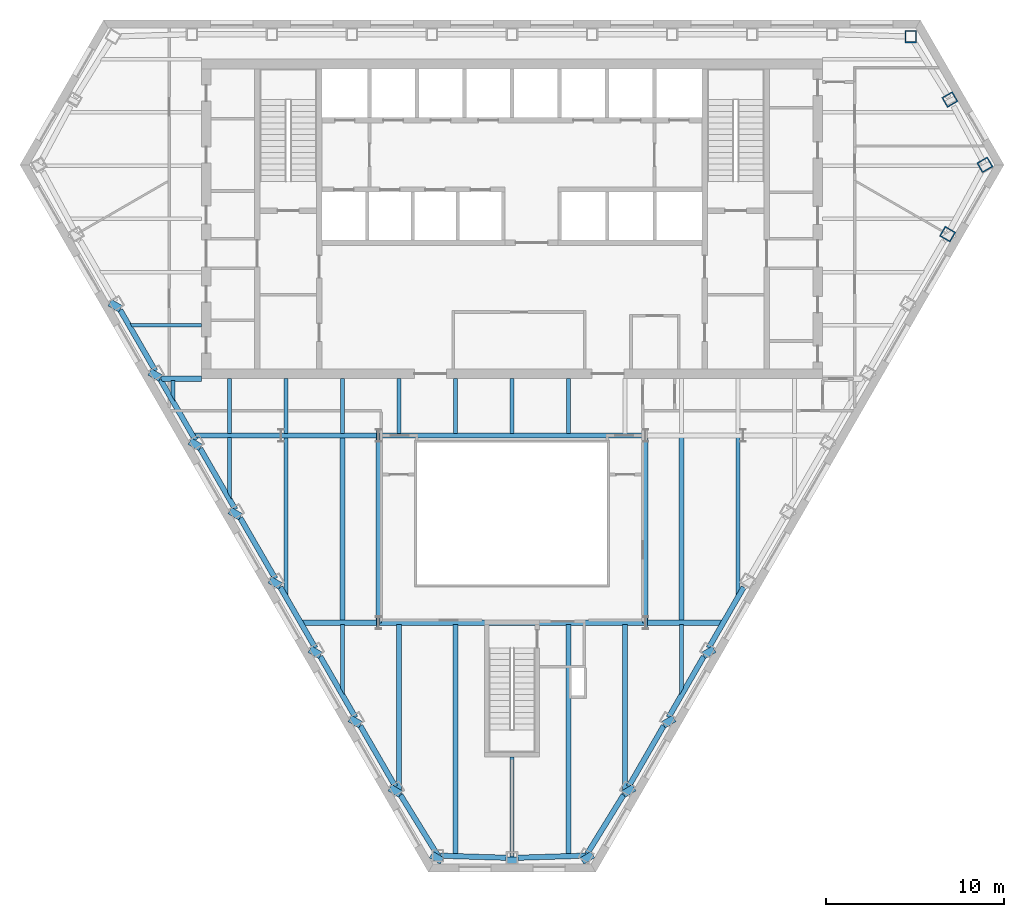
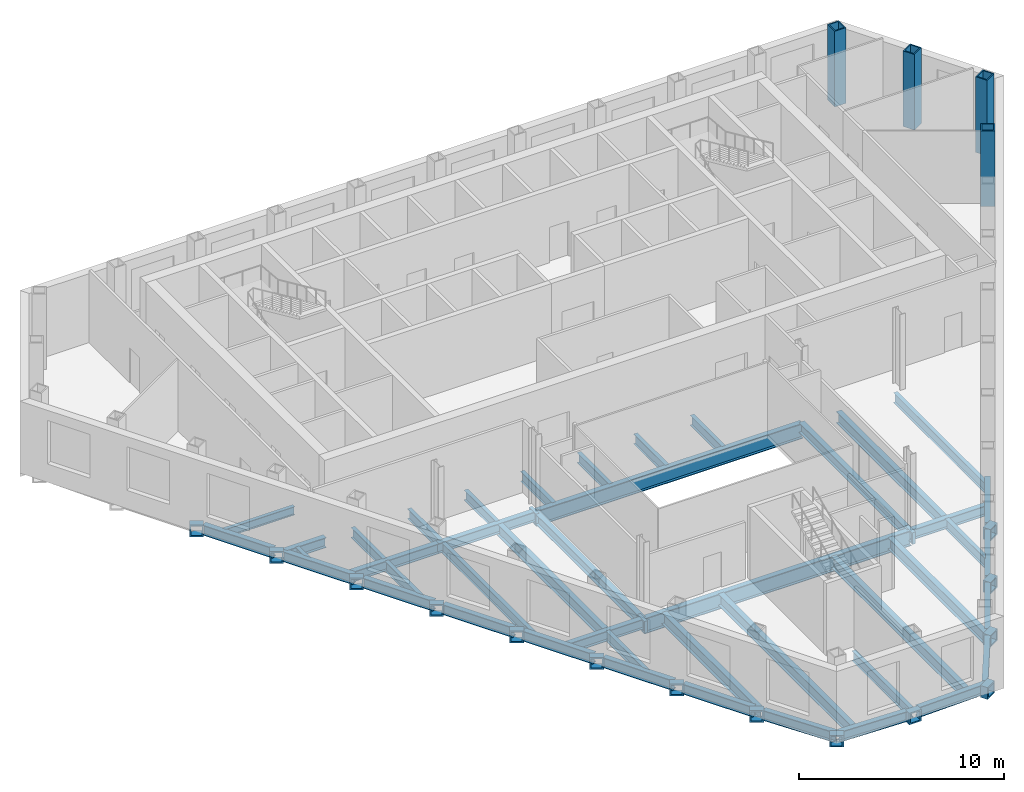
# One storey, part 2 of 11: 61 beams, 4 columns.
"""IFC4 building model written with IfcOpenShell, lengths in metres."""

from ifc_helpers import new_model, si_unit, direction, frame, origin, origin_2d, place, context, subcontext, project, spatial, hollow_rectangle, i_section, extrude, clip, halfspace, material, material_profile, profile_set, type_object, element, save


model = new_model("IFC4")

# Units and contexts
model_context = context("Model", 3, precision=1e-05, world=origin(), true_north=direction((0.0, 1.0)))
body_context = subcontext(model_context, "Body", "Model", "MODEL_VIEW")
ifc_project = project(units=[si_unit("LENGTHUNIT", "METRE"), si_unit("AREAUNIT", "SQUARE_METRE"), si_unit("VOLUMEUNIT", "CUBIC_METRE"), si_unit("PLANEANGLEUNIT", "RADIAN"), si_unit("MASSUNIT", "GRAM", prefix="KILO")], contexts=[model_context])

# Site, building, storey
site_placement = place(None, origin())
site = spatial("IfcSite", under=ifc_project, at=site_placement, CompositionType="ELEMENT")
building_placement = place(site_placement, origin())
building = spatial("IfcBuilding", under=site, at=building_placement, Name="Njiva Tower", CompositionType="ELEMENT")
storey_placement = place(building_placement, frame((0.0, 0.0, 124.8)))
storey = spatial("IfcBuildingStorey", under=building, at=storey_placement, Name="L26", CompositionType="ELEMENT", Elevation=124.8)

# Columns
ifc_material = material(Name="Steel S355 J2", Category="steel")
ifc_material_profile_1 = material_profile(ifc_material, hollow_rectangle(XDim=0.65, YDim=0.7, WallThickness=0.065, at=origin_2d()), Name="BOX 700x650x65")
ifc_profile_set_1 = profile_set([ifc_material_profile_1], Name="Steel S355 J2")
column_type = type_object("IfcColumnType", Name="C7 Perimeter tube column BOX 700x650x65", PredefinedType="COLUMN", material=ifc_profile_set_1)
for number, where, z_axis, x_axis, name in (
    (1, (22.461, 19.267, 0.0), (0.0, 0.0, 1.0), (-1.0, 0.0, 0.0), "Perimeter tube column S09-C01"),
    (2, (24.532, 8.138, 0.0), (0.0, 0.0, 1.0), (0.5, 0.866025403784, 0.0), "Perimeter tube column S09-C34"),
    (3, (26.633, 12.042, 0.0), (0.0, 0.0, 1.0), (-0.5, 0.866025403784, 0.0), "Perimeter tube column S09-C35"),
    (4, (24.662, 15.721, 0.0), (0.0, 0.0, 1.0), (-0.5, 0.866025403784, 0.0), "Perimeter tube column S09-C36"),
):
    element("IfcColumn", number, at=place(storey_placement, frame(where, z_axis=z_axis, x_axis=x_axis)), inside=storey, type_object=column_type, Name=name, PredefinedType="COLUMN", context=body_context, shape_type="SweptSolid", body=[
        extrude(hollow_rectangle(XDim=0.65, YDim=0.7, WallThickness=0.065, at=origin_2d()), origin(), (0.0, 0.0, 1.0), 4.5),
    ])

# Beams
ifc_material_profile_2 = material_profile(ifc_material, i_section(OverallWidth=0.3, OverallDepth=0.69, WebThickness=0.0145, FlangeThickness=0.027, at=origin_2d()), Name="HEA 700")
ifc_profile_set_2 = profile_set([ifc_material_profile_2], Name="Steel S355 J2")
beam_type_1 = type_object("IfcBeamType", Name="B12 Long-span floor joist HEA 700", PredefinedType="JOIST", material=ifc_profile_set_2)
beam_1_placement = place(storey_placement, frame((-9.55, -3.3, -0.545), z_axis=(0.0, -1.0, 0.0), x_axis=(1.0, 0.0, 0.0)))
element("IfcBeam", 5, at=beam_1_placement, inside=storey, type_object=beam_type_1, Name="Long-span floor joist S09-B060", PredefinedType="JOIST", context=body_context, shape_type="SweptSolid", body=[
    extrude(i_section(OverallWidth=0.3, OverallDepth=0.69, WebThickness=0.0145, FlangeThickness=0.027, at=origin_2d()), origin(), (0.0, 0.0, 1.0), 10.35),
])
for number, where, z_axis, x_axis, name in (
    (6, (-3.183, -13.851, -0.545), (0.0, -1.0, 0.0), (1.0, 0.0, 0.0), "Long-span floor joist S09-B065"),
    (7, (3.183, -13.851, -0.545), (0.0, -1.0, 0.0), (1.0, 0.0, 0.0), "Long-span floor joist S09-B070"),
):
    element("IfcBeam", number, at=place(storey_placement, frame(where, z_axis=z_axis, x_axis=x_axis)), inside=storey, type_object=beam_type_1, Name=name, PredefinedType="JOIST", context=body_context, shape_type="SweptSolid", body=[
        extrude(i_section(OverallWidth=0.3, OverallDepth=0.69, WebThickness=0.0145, FlangeThickness=0.027, at=origin_2d()), origin(), (0.0, 0.0, 1.0), 12.94),
    ])
beam_2_placement = place(storey_placement, frame((9.55, -3.3, -0.545), z_axis=(0.0, -1.0, 0.0), x_axis=(1.0, 0.0, 0.0)))
element("IfcBeam", 8, at=beam_2_placement, inside=storey, type_object=beam_type_1, Name="Long-span floor joist S09-B076", PredefinedType="JOIST", context=body_context, shape_type="SweptSolid", body=[
    extrude(i_section(OverallWidth=0.3, OverallDepth=0.69, WebThickness=0.0145, FlangeThickness=0.027, at=origin_2d()), origin(), (0.0, 0.0, 1.0), 10.35),
])
ifc_material_profile_3 = material_profile(ifc_material, i_section(OverallWidth=0.22, OverallDepth=0.6, WebThickness=0.012, FlangeThickness=0.019, at=origin_2d()), Name="IPE 600")
ifc_profile_set_3 = profile_set([ifc_material_profile_3], Name="Steel S355 J2")
beam_type_2 = type_object("IfcBeamType", Name="B13 Floor joist IPE 600", PredefinedType="JOIST", material=ifc_profile_set_3)
beam_3_placement = place(storey_placement, frame((-12.733, -3.3, -0.5), z_axis=(0.0, -1.0, 0.0), x_axis=(1.0, 0.0, 0.0)))
element("IfcBeam", 9, at=beam_3_placement, inside=storey, type_object=beam_type_2, Name="Floor joist S09-B057", PredefinedType="JOIST", context=body_context, shape_type="Clipping", body=[
    clip(extrude(i_section(OverallWidth=0.22, OverallDepth=0.6, WebThickness=0.012, FlangeThickness=0.019, at=origin_2d()), origin(), (0.0, 0.0, 1.0), 9.009), halfspace(frame((-0.0436, 0.0, 8.7233), z_axis=(-0.866026552831, 0.0, 0.499998009787), x_axis=(0.0, 1.0, 0.0)), False)),
])
beam_4_placement = place(storey_placement, frame((0.0, -21.3, -0.5), z_axis=(0.0, -1.0, 0.0), x_axis=(1.0, 0.0, 0.0)))
element("IfcBeam", 10, at=beam_4_placement, inside=storey, type_object=beam_type_2, Name="Floor joist S09-B067", PredefinedType="JOIST", context=body_context, shape_type="SweptSolid", body=[
    extrude(i_section(OverallWidth=0.22, OverallDepth=0.6, WebThickness=0.012, FlangeThickness=0.019, at=origin_2d()), origin(), (0.0, 0.0, 1.0), 5.646),
])
beam_5_placement = place(storey_placement, frame((12.733, -3.3, -0.5), z_axis=(0.0, -1.0, 0.0), x_axis=(1.0, 0.0, 0.0)))
element("IfcBeam", 11, at=beam_5_placement, inside=storey, type_object=beam_type_2, Name="Floor joist S09-B078", PredefinedType="JOIST", context=body_context, shape_type="Clipping", body=[
    clip(extrude(i_section(OverallWidth=0.22, OverallDepth=0.6, WebThickness=0.012, FlangeThickness=0.019, at=origin_2d()), origin(), (0.0, 0.0, 1.0), 9.009), halfspace(frame((0.0436, 0.0, 8.7233), z_axis=(0.866026552831, 0.0, 0.499998009787), x_axis=(0.0, 1.0, 0.0)), False)),
])
ifc_material_profile_4 = material_profile(ifc_material, i_section(OverallWidth=0.22, OverallDepth=0.6, WebThickness=0.012, FlangeThickness=0.019, at=origin_2d()), Name="IPE 600")
ifc_profile_set_4 = profile_set([ifc_material_profile_4], Name="Steel S355 J2")
beam_type_3 = type_object("IfcBeamType", Name="B14 Short-span floor joist IPE 600", PredefinedType="JOIST", material=ifc_profile_set_4)
beam_6_placement = place(storey_placement, frame((-19.1, -0.1, -0.5), z_axis=(0.0, -1.0, 0.0), x_axis=(1.0, 0.0, 0.0)))
element("IfcBeam", 12, at=beam_6_placement, inside=storey, type_object=beam_type_3, Name="Short-span floor joist S09-B054", PredefinedType="JOIST", context=body_context, shape_type="Clipping", body=[
    clip(extrude(i_section(OverallWidth=0.22, OverallDepth=0.6, WebThickness=0.012, FlangeThickness=0.019, at=origin_2d()), origin(), (0.0, 0.0, 1.0), 1.182), halfspace(frame((-0.0433, 0.0, 0.8959), z_axis=(-0.866026552831, 0.0, 0.499998009787), x_axis=(0.0, 1.0, 0.0)), False)),
])
beam_7_placement = place(storey_placement, frame((-15.917, -0.005, -0.5), z_axis=(0.0, -1.0, 0.0), x_axis=(1.0, 0.0, 0.0)))
element("IfcBeam", 13, at=beam_7_placement, inside=storey, type_object=beam_type_3, Name="Short-span floor joist S09-B056", PredefinedType="JOIST", context=body_context, shape_type="SweptSolid", body=[
    extrude(i_section(OverallWidth=0.22, OverallDepth=0.6, WebThickness=0.012, FlangeThickness=0.019, at=origin_2d()), origin(), (0.0, 0.0, 1.0), 3.095),
])
beam_8_placement = place(storey_placement, frame((-15.917, -3.3, -0.5), z_axis=(0.0, -1.0, 0.0), x_axis=(1.0, 0.0, 0.0)))
element("IfcBeam", 14, at=beam_8_placement, inside=storey, type_object=beam_type_3, Name="Short-span floor joist S09-B055", PredefinedType="JOIST", context=body_context, shape_type="Clipping", body=[
    clip(extrude(i_section(OverallWidth=0.22, OverallDepth=0.6, WebThickness=0.012, FlangeThickness=0.019, at=origin_2d()), origin(), (0.0, 0.0, 1.0), 3.496), halfspace(frame((-0.043, 0.0, 3.2096), z_axis=(-0.866026552831, 0.0, 0.499998009787), x_axis=(0.0, 1.0, 0.0)), False)),
])
for number, where, z_axis, x_axis, name in (
    (15, (-12.733, -0.005, -0.5), (0.0, -1.0, 0.0), (1.0, 0.0, 0.0), "Short-span floor joist S09-B058"),
    (16, (-9.55, -0.005, -0.5), (0.0, -1.0, 0.0), (1.0, 0.0, 0.0), "Short-span floor joist S09-B061"),
):
    element("IfcBeam", number, at=place(storey_placement, frame(where, z_axis=z_axis, x_axis=x_axis)), inside=storey, type_object=beam_type_3, Name=name, PredefinedType="JOIST", context=body_context, shape_type="SweptSolid", body=[
        extrude(i_section(OverallWidth=0.22, OverallDepth=0.6, WebThickness=0.012, FlangeThickness=0.019, at=origin_2d()), origin(), (0.0, 0.0, 1.0), 3.095),
    ])
beam_9_placement = place(storey_placement, frame((-9.55, -13.85, -0.5), z_axis=(0.0, -1.0, 0.0), x_axis=(1.0, 0.0, 0.0)))
element("IfcBeam", 17, at=beam_9_placement, inside=storey, type_object=beam_type_3, Name="Short-span floor joist S09-B059", PredefinedType="JOIST", context=body_context, shape_type="Clipping", body=[
    clip(extrude(i_section(OverallWidth=0.22, OverallDepth=0.6, WebThickness=0.012, FlangeThickness=0.019, at=origin_2d()), origin(), (0.0, 0.0, 1.0), 3.973), halfspace(frame((-0.0433, 0.0, 3.687), z_axis=(-0.866026552831, 0.0, 0.499998009787), x_axis=(0.0, 1.0, 0.0)), False)),
])
for number, where, z_axis, x_axis, name in (
    (18, (-6.367, -0.005, -0.5), (0.0, -1.0, 0.0), (1.0, 0.0, 0.0), "Short-span floor joist S09-B064"),
    (19, (-3.183, -0.005, -0.5), (0.0, -1.0, 0.0), (1.0, 0.0, 0.0), "Short-span floor joist S09-B066"),
    (20, (0.0, -0.005, -0.5), (0.0, -1.0, 0.0), (1.0, 0.0, 0.0), "Short-span floor joist S09-B069"),
    (21, (3.183, -0.005, -0.5), (0.0, -1.0, 0.0), (1.0, 0.0, 0.0), "Short-span floor joist S09-B071"),
):
    element("IfcBeam", number, at=place(storey_placement, frame(where, z_axis=z_axis, x_axis=x_axis)), inside=storey, type_object=beam_type_3, Name=name, PredefinedType="JOIST", context=body_context, shape_type="SweptSolid", body=[
        extrude(i_section(OverallWidth=0.22, OverallDepth=0.6, WebThickness=0.012, FlangeThickness=0.019, at=origin_2d()), origin(), (0.0, 0.0, 1.0), 3.094),
    ])
beam_10_placement = place(storey_placement, frame((9.55, -13.85, -0.5), z_axis=(0.0, -1.0, 0.0), x_axis=(1.0, 0.0, 0.0)))
element("IfcBeam", 22, at=beam_10_placement, inside=storey, type_object=beam_type_3, Name="Short-span floor joist S09-B075", PredefinedType="JOIST", context=body_context, shape_type="Clipping", body=[
    clip(extrude(i_section(OverallWidth=0.22, OverallDepth=0.6, WebThickness=0.012, FlangeThickness=0.019, at=origin_2d()), origin(), (0.0, 0.0, 1.0), 3.973), halfspace(frame((0.0433, 0.0, 3.687), z_axis=(0.866026552831, 0.0, 0.499998009787), x_axis=(0.0, 1.0, 0.0)), False)),
])
ifc_material_profile_5 = material_profile(ifc_material, hollow_rectangle(XDim=0.7, YDim=0.7, WallThickness=0.08, at=origin_2d()), Name="BOX 700x700x80")
ifc_profile_set_5 = profile_set([ifc_material_profile_5], Name="Steel S355 J2")
beam_type_4 = type_object("IfcBeamType", Name="B19 Column jog beam BOX 700x700x80", PredefinedType="BEAM", material=ifc_profile_set_5)
beam_11_placement = place(storey_placement, frame((-22.455, 3.925, -0.55), z_axis=(0.494586791245, 0.86912824481, 0.0), x_axis=(-0.86912824481, 0.494586791245, 0.0)))
element("IfcBeam", 23, at=beam_11_placement, inside=storey, type_object=beam_type_4, Name="Column jog beam S09-B028", PredefinedType="BEAM", context=body_context, shape_type="SweptSolid", body=[
    extrude(hollow_rectangle(XDim=0.7, YDim=0.7, WallThickness=0.08, at=origin_2d()), origin(), (0.0, 0.0, 1.0), 0.4165),
])
beam_12_placement = place(storey_placement, frame((-20.201, 0.022, -0.55), z_axis=(0.495620650655, 0.868539101391, 0.0), x_axis=(-0.868539101391, 0.495620650655, 0.0)))
element("IfcBeam", 24, at=beam_12_placement, inside=storey, type_object=beam_type_4, Name="Column jog beam S09-B029", PredefinedType="BEAM", context=body_context, shape_type="SweptSolid", body=[
    extrude(hollow_rectangle(XDim=0.7, YDim=0.7, WallThickness=0.08, at=origin_2d()), origin(), (0.0, 0.0, 1.0), 0.4156),
])
beam_13_placement = place(storey_placement, frame((-17.948, -3.881, -0.55), z_axis=(0.498471124258, 0.866906303058, 0.0), x_axis=(-0.866906303058, 0.498471124258, 0.0)))
element("IfcBeam", 25, at=beam_13_placement, inside=storey, type_object=beam_type_4, Name="Column jog beam S09-B030", PredefinedType="BEAM", context=body_context, shape_type="SweptSolid", body=[
    extrude(hollow_rectangle(XDim=0.7, YDim=0.7, WallThickness=0.08, at=origin_2d()), origin(), (0.0, 0.0, 1.0), 0.4153),
])
for number, where, z_axis, x_axis, name in (
    (26, (-15.695, -7.784, -0.55), (0.501321266831, 0.865261224962, 0.0), (-0.865261224962, 0.501321266831, 0.0), "Column jog beam S09-B031"),
    (27, (-13.441, -11.687, -0.55), (0.501321266831, 0.865261224962, 0.0), (-0.865261224962, 0.501321266831, 0.0), "Column jog beam S09-B032"),
):
    element("IfcBeam", number, at=place(storey_placement, frame(where, z_axis=z_axis, x_axis=x_axis)), inside=storey, type_object=beam_type_4, Name=name, PredefinedType="BEAM", context=body_context, shape_type="SweptSolid", body=[
        extrude(hollow_rectangle(XDim=0.7, YDim=0.7, WallThickness=0.08, at=origin_2d()), origin(), (0.0, 0.0, 1.0), 0.4149),
    ])
beam_14_placement = place(storey_placement, frame((-11.188, -15.59, -0.55), z_axis=(0.502368564483, 0.864653586946, 0.0), x_axis=(-0.864653586946, 0.502368564483, 0.0)))
element("IfcBeam", 28, at=beam_14_placement, inside=storey, type_object=beam_type_4, Name="Column jog beam S09-B033", PredefinedType="BEAM", context=body_context, shape_type="SweptSolid", body=[
    extrude(hollow_rectangle(XDim=0.7, YDim=0.7, WallThickness=0.08, at=origin_2d()), origin(), (0.0, 0.0, 1.0), 0.414),
])
beam_15_placement = place(storey_placement, frame((-8.935, -19.493, -0.55), z_axis=(0.505223113522, 0.862988763289, 0.0), x_axis=(-0.862988763289, 0.505223113522, 0.0)))
element("IfcBeam", 29, at=beam_15_placement, inside=storey, type_object=beam_type_4, Name="Column jog beam S09-B034", PredefinedType="BEAM", context=body_context, shape_type="SweptSolid", body=[
    extrude(hollow_rectangle(XDim=0.7, YDim=0.7, WallThickness=0.08, at=origin_2d()), origin(), (0.0, 0.0, 1.0), 0.4137),
])
beam_16_placement = place(storey_placement, frame((-6.682, -23.395, -0.55), z_axis=(0.509868626205, 0.860252279283, 0.0), x_axis=(-0.860252279283, 0.509868626205, 0.0)))
element("IfcBeam", 30, at=beam_16_placement, inside=storey, type_object=beam_type_4, Name="Column jog beam S09-B037", PredefinedType="BEAM", context=body_context, shape_type="SweptSolid", body=[
    extrude(hollow_rectangle(XDim=0.7, YDim=0.7, WallThickness=0.08, at=origin_2d()), origin(), (0.0, 0.0, 1.0), 0.4138),
])
beam_17_placement = place(storey_placement, frame((-4.352, -27.165, -0.55), z_axis=(0.512716359807, 0.858558055338, 0.0), x_axis=(-0.858558055338, 0.512716359807, 0.0)))
element("IfcBeam", 31, at=beam_17_placement, inside=storey, type_object=beam_type_4, Name="Column jog beam S09-B038", PredefinedType="BEAM", context=body_context, shape_type="SweptSolid", body=[
    extrude(hollow_rectangle(XDim=0.7, YDim=0.7, WallThickness=0.08, at=origin_2d()), origin(), (0.0, 0.0, 1.0), 0.4135),
])
beam_18_placement = place(storey_placement, frame((0.0, -27.306, -0.55), z_axis=(0.0, 1.0, 0.0), x_axis=(-1.0, 0.0, 0.0)))
element("IfcBeam", 32, at=beam_18_placement, inside=storey, type_object=beam_type_4, Name="Column jog beam S09-B039", PredefinedType="BEAM", context=body_context, shape_type="SweptSolid", body=[
    extrude(hollow_rectangle(XDim=0.7, YDim=0.7, WallThickness=0.08, at=origin_2d()), origin(), (0.0, 0.0, 1.0), 0.371),
])
beam_19_placement = place(storey_placement, frame((4.352, -27.165, -0.55), z_axis=(-0.512716359807, 0.858558055338, 0.0), x_axis=(-0.858558055338, -0.512716359807, 0.0)))
element("IfcBeam", 33, at=beam_19_placement, inside=storey, type_object=beam_type_4, Name="Column jog beam S09-B040", PredefinedType="BEAM", context=body_context, shape_type="SweptSolid", body=[
    extrude(hollow_rectangle(XDim=0.7, YDim=0.7, WallThickness=0.08, at=origin_2d()), origin(), (0.0, 0.0, 1.0), 0.4135),
])
beam_20_placement = place(storey_placement, frame((6.682, -23.395, -0.55), z_axis=(-0.509868626205, 0.860252279283, 0.0), x_axis=(-0.860252279283, -0.509868626205, 0.0)))
element("IfcBeam", 34, at=beam_20_placement, inside=storey, type_object=beam_type_4, Name="Column jog beam S09-B041", PredefinedType="BEAM", context=body_context, shape_type="SweptSolid", body=[
    extrude(hollow_rectangle(XDim=0.7, YDim=0.7, WallThickness=0.08, at=origin_2d()), origin(), (0.0, 0.0, 1.0), 0.4138),
])
beam_21_placement = place(storey_placement, frame((8.935, -19.493, -0.55), z_axis=(-0.505223113522, 0.862988763289, 0.0), x_axis=(-0.862988763289, -0.505223113522, 0.0)))
element("IfcBeam", 35, at=beam_21_placement, inside=storey, type_object=beam_type_4, Name="Column jog beam S09-B044", PredefinedType="BEAM", context=body_context, shape_type="SweptSolid", body=[
    extrude(hollow_rectangle(XDim=0.7, YDim=0.7, WallThickness=0.08, at=origin_2d()), origin(), (0.0, 0.0, 1.0), 0.4137),
])
beam_22_placement = place(storey_placement, frame((11.188, -15.59, -0.55), z_axis=(-0.502368564483, 0.864653586946, 0.0), x_axis=(-0.864653586946, -0.502368564483, 0.0)))
element("IfcBeam", 36, at=beam_22_placement, inside=storey, type_object=beam_type_4, Name="Column jog beam S09-B045", PredefinedType="BEAM", context=body_context, shape_type="SweptSolid", body=[
    extrude(hollow_rectangle(XDim=0.7, YDim=0.7, WallThickness=0.08, at=origin_2d()), origin(), (0.0, 0.0, 1.0), 0.414),
])
for number, where, z_axis, x_axis, name in (
    (37, (-7.64, -3.2, -0.55), (1.0, 0.0, 0.0), (0.0, 1.0, 0.0), "Column jog beam S09-B036"),
    (38, (7.64, -13.75, -0.55), (-1.0, 0.0, 0.0), (0.0, -1.0, 0.0), "Column jog beam S09-B042"),
    (39, (-7.64, -13.75, -0.55), (1.0, 0.0, 0.0), (0.0, 1.0, 0.0), "Column jog beam S09-B035"),
):
    element("IfcBeam", number, at=place(storey_placement, frame(where, z_axis=z_axis, x_axis=x_axis)), inside=storey, type_object=beam_type_4, Name=name, PredefinedType="BEAM", context=body_context, shape_type="SweptSolid", body=[
        extrude(hollow_rectangle(XDim=0.7, YDim=0.7, WallThickness=0.08, at=origin_2d()), origin(), (0.0, 0.0, 1.0), 0.19),
    ])
ifc_material_profile_6 = material_profile(ifc_material, i_section(OverallWidth=0.3, OverallDepth=0.6, WebThickness=0.0155, FlangeThickness=0.03, at=origin_2d()), Name="HEB 600")
ifc_profile_set_6 = profile_set([ifc_material_profile_6], Name="Steel S355 J2")
beam_type_5 = type_object("IfcBeamType", Name="B20 Floor girder HEB 600", PredefinedType="BEAM", material=ifc_profile_set_6)
beam_23_placement = place(storey_placement, frame((-17.978, -3.2, -0.5), z_axis=(1.0, 0.0, 0.0), x_axis=(0.0, 1.0, 0.0)))
element("IfcBeam", 40, at=beam_23_placement, inside=storey, type_object=beam_type_5, Name="Floor girder S09-B017", PredefinedType="BEAM", context=body_context, shape_type="Clipping", body=[
    clip(extrude(i_section(OverallWidth=0.3, OverallDepth=0.6, WebThickness=0.0155, FlangeThickness=0.03, at=origin_2d()), origin(), (0.0, 0.0, 1.0), 4.978), halfspace(frame((-0.025, 0.0, 0.1217), z_axis=(-0.499998009787, 0.0, -0.866026552831), x_axis=(0.0, -1.0, 0.0)), False)),
])
beam_24_placement = place(storey_placement, frame((-13.0, -3.2, -0.5), z_axis=(1.0, 0.0, 0.0), x_axis=(0.0, 1.0, 0.0)))
element("IfcBeam", 41, at=beam_24_placement, inside=storey, type_object=beam_type_5, Name="Floor girder S09-B018", PredefinedType="BEAM", context=body_context, shape_type="SweptSolid", body=[
    extrude(i_section(OverallWidth=0.3, OverallDepth=0.6, WebThickness=0.0155, FlangeThickness=0.03, at=origin_2d()), origin(), (0.0, 0.0, 1.0), 5.49),
])
ifc_material_profile_7 = material_profile(ifc_material, i_section(OverallWidth=0.3, OverallDepth=0.6, WebThickness=0.0155, FlangeThickness=0.03, at=origin_2d()), Name="HEB 600")
ifc_profile_set_7 = profile_set([ifc_material_profile_7], Name="Steel S355 J2")
beam_type_6 = type_object("IfcBeamType", Name="B21 Short-span floor girder HEB 600", PredefinedType="BEAM", material=ifc_profile_set_7)
beam_25_placement = place(storey_placement, frame((-11.887, -13.75, -0.5), z_axis=(1.0, 0.0, 0.0), x_axis=(0.0, 1.0, 0.0)))
element("IfcBeam", 42, at=beam_25_placement, inside=storey, type_object=beam_type_6, Name="Short-span floor girder S09-B019", PredefinedType="BEAM", context=body_context, shape_type="Clipping", body=[
    clip(extrude(i_section(OverallWidth=0.3, OverallDepth=0.6, WebThickness=0.0155, FlangeThickness=0.03, at=origin_2d()), origin(), (0.0, 0.0, 1.0), 4.377), halfspace(frame((-0.025, 0.0, 0.1217), z_axis=(-0.499998009787, 0.0, -0.866026552831), x_axis=(0.0, -1.0, 0.0)), False)),
])
beam_26_placement = place(storey_placement, frame((7.51, -13.75, -0.5), z_axis=(1.0, 0.0, 0.0), x_axis=(0.0, 1.0, 0.0)))
element("IfcBeam", 43, at=beam_26_placement, inside=storey, type_object=beam_type_6, Name="Short-span floor girder S09-B020", PredefinedType="BEAM", context=body_context, shape_type="Clipping", body=[
    clip(extrude(i_section(OverallWidth=0.3, OverallDepth=0.6, WebThickness=0.0155, FlangeThickness=0.03, at=origin_2d()), origin(), (0.0, 0.0, 1.0), 4.377), halfspace(frame((-0.025, 0.0, 4.2553), z_axis=(-0.499998009787, 0.0, 0.866026552831), x_axis=(0.0, 1.0, 0.0)), False)),
])
beam_27_placement = place(storey_placement, frame((-19.889, 0.0, -0.5), z_axis=(1.0, 0.0, 0.0), x_axis=(0.0, 1.0, 0.0)))
element("IfcBeam", 44, at=beam_27_placement, inside=storey, type_object=beam_type_6, Name="Short-span floor girder S09-B015", PredefinedType="BEAM", context=body_context, shape_type="Clipping", body=[
    clip(extrude(i_section(OverallWidth=0.3, OverallDepth=0.6, WebThickness=0.0155, FlangeThickness=0.03, at=origin_2d()), origin(), (0.0, 0.0, 1.0), 2.389), halfspace(frame((-0.025, 0.0, 0.1216), z_axis=(-0.499998009787, 0.0, -0.866026552831), x_axis=(0.0, -1.0, 0.0)), False)),
])
ifc_material_profile_8 = material_profile(ifc_material, i_section(OverallWidth=0.3, OverallDepth=0.6, WebThickness=0.0155, FlangeThickness=0.03, at=origin_2d()), Name="HEB 600")
ifc_profile_set_8 = profile_set([ifc_material_profile_8], Name="Steel S355 J2")
beam_type_7 = type_object("IfcBeamType", Name="B23 Long-span atrium trimmer beam HEB 600", PredefinedType="BEAM", material=ifc_profile_set_8)
for number, where, z_axis, x_axis, name in (
    (45, (7.51, -13.75, -0.5), (0.0, 1.0, 0.0), (-1.0, 0.0, 0.0), "Long-span atrium trimmer beam S09-B087"),
    (46, (-7.51, -3.2, -0.5), (0.0, -1.0, 0.0), (1.0, 0.0, 0.0), "Long-span atrium trimmer beam S09-B083"),
):
    element("IfcBeam", number, at=place(storey_placement, frame(where, z_axis=z_axis, x_axis=x_axis)), inside=storey, type_object=beam_type_7, Name=name, PredefinedType="BEAM", context=body_context, shape_type="SweptSolid", body=[
        extrude(i_section(OverallWidth=0.3, OverallDepth=0.6, WebThickness=0.0155, FlangeThickness=0.03, at=origin_2d()), origin(), (0.0, 0.0, 1.0), 10.55),
    ])
ifc_material_profile_9 = material_profile(ifc_material, i_section(OverallWidth=0.2, OverallDepth=0.5, WebThickness=0.0102, FlangeThickness=0.016, at=origin_2d()), Name="IPE 500")
ifc_profile_set_9 = profile_set([ifc_material_profile_9], Name="Steel S355 J2")
beam_type_8 = type_object("IfcBeamType", Name="B25 Short-span floor beam to the core IPE 500", PredefinedType="BEAM", material=ifc_profile_set_9)
beam_28_placement = place(storey_placement, frame((-21.528, 3.0, -0.45), z_axis=(1.0, 0.0, 0.0), x_axis=(0.0, 1.0, 0.0)))
element("IfcBeam", 47, at=beam_28_placement, inside=storey, type_object=beam_type_8, Name="Short-span floor beam to the core S09-B007", PredefinedType="BEAM", context=body_context, shape_type="Clipping", body=[
    clip(extrude(i_section(OverallWidth=0.2, OverallDepth=0.5, WebThickness=0.0102, FlangeThickness=0.016, at=origin_2d()), origin(), (0.0, 0.0, 1.0), 4.028), halfspace(frame((-0.025, 0.0, 0.0921), z_axis=(-0.499998009787, 0.0, -0.866026552831), x_axis=(0.0, -1.0, 0.0)), False)),
])
ifc_material_profile_10 = material_profile(ifc_material, i_section(OverallWidth=0.3, OverallDepth=0.69, WebThickness=0.0145, FlangeThickness=0.027, at=origin_2d()), Name="HEA 700")
ifc_profile_set_10 = profile_set([ifc_material_profile_10], Name="Steel S355 J2")
beam_type_9 = type_object("IfcBeamType", Name="B26 Floor joist HEA 700", PredefinedType="JOIST", material=ifc_profile_set_10)
beam_29_placement = place(storey_placement, frame((-6.367, -13.851, -0.545), z_axis=(0.0, -1.0, 0.0), x_axis=(1.0, 0.0, 0.0)))
element("IfcBeam", 48, at=beam_29_placement, inside=storey, type_object=beam_type_9, Name="Floor joist S09-B062", PredefinedType="JOIST", context=body_context, shape_type="Clipping", body=[
    clip(extrude(i_section(OverallWidth=0.3, OverallDepth=0.69, WebThickness=0.0145, FlangeThickness=0.027, at=origin_2d()), origin(), (0.0, 0.0, 1.0), 9.595), halfspace(frame((-0.043, 0.0, 9.3095), z_axis=(-0.866026552831, 0.0, 0.499998009787), x_axis=(0.0, 1.0, 0.0)), False)),
])
beam_30_placement = place(storey_placement, frame((6.367, -13.851, -0.545), z_axis=(0.0, -1.0, 0.0), x_axis=(1.0, 0.0, 0.0)))
element("IfcBeam", 49, at=beam_30_placement, inside=storey, type_object=beam_type_9, Name="Floor joist S09-B072", PredefinedType="JOIST", context=body_context, shape_type="Clipping", body=[
    clip(extrude(i_section(OverallWidth=0.3, OverallDepth=0.69, WebThickness=0.0145, FlangeThickness=0.027, at=origin_2d()), origin(), (0.0, 0.0, 1.0), 9.595), halfspace(frame((0.043, 0.0, 9.3095), z_axis=(0.866026552831, 0.0, 0.499998009787), x_axis=(0.0, 1.0, 0.0)), False)),
])
ifc_material_profile_11 = material_profile(ifc_material, i_section(OverallWidth=0.3, OverallDepth=0.6, WebThickness=0.0155, FlangeThickness=0.03, at=origin_2d()), Name="HEB 600")
ifc_profile_set_11 = profile_set([ifc_material_profile_11], Name="Steel S355 J2")
beam_type_10 = type_object("IfcBeamType", Name="B3 Short-span spandrel beam HEB 600", PredefinedType="SPANDREL", material=ifc_profile_set_11)
beam_31_placement = place(storey_placement, frame((-22.066, 3.867, -0.5), z_axis=(0.499890179513, -0.866088799389, 0.0), x_axis=(0.866088799389, 0.499890179513, 0.0)))
element("IfcBeam", 50, at=beam_31_placement, inside=storey, type_object=beam_type_10, Name="Short-span spandrel beam S09-B100", PredefinedType="SPANDREL", context=body_context, shape_type="SweptSolid", body=[
    extrude(i_section(OverallWidth=0.3, OverallDepth=0.6, WebThickness=0.0155, FlangeThickness=0.03, at=origin_2d()), origin(), (0.0, 0.0, 1.0), 3.9569),
])
beam_32_placement = place(storey_placement, frame((-19.813, -0.037, -0.5), z_axis=(0.500189166063, -0.865916161157, 0.0), x_axis=(0.865916161157, 0.500189166063, 0.0)))
element("IfcBeam", 51, at=beam_32_placement, inside=storey, type_object=beam_type_10, Name="Short-span spandrel beam S09-B102", PredefinedType="SPANDREL", context=body_context, shape_type="SweptSolid", body=[
    extrude(i_section(OverallWidth=0.3, OverallDepth=0.6, WebThickness=0.0155, FlangeThickness=0.03, at=origin_2d()), origin(), (0.0, 0.0, 1.0), 3.9565),
])
beam_33_placement = place(storey_placement, frame((-17.559, -3.939, -0.5), z_axis=(0.499890179513, -0.866088799389, 0.0), x_axis=(0.866088799389, 0.499890179513, 0.0)))
element("IfcBeam", 52, at=beam_33_placement, inside=storey, type_object=beam_type_10, Name="Short-span spandrel beam S09-B106", PredefinedType="SPANDREL", context=body_context, shape_type="SweptSolid", body=[
    extrude(i_section(OverallWidth=0.3, OverallDepth=0.6, WebThickness=0.0155, FlangeThickness=0.03, at=origin_2d()), origin(), (0.0, 0.0, 1.0), 3.9569),
])
beam_34_placement = place(storey_placement, frame((-15.306, -7.842, -0.5), z_axis=(0.500079715141, -0.865979375335, 0.0), x_axis=(0.865979375335, 0.500079715141, 0.0)))
element("IfcBeam", 53, at=beam_34_placement, inside=storey, type_object=beam_type_10, Name="Short-span spandrel beam S09-B108", PredefinedType="SPANDREL", context=body_context, shape_type="SweptSolid", body=[
    extrude(i_section(OverallWidth=0.3, OverallDepth=0.6, WebThickness=0.0155, FlangeThickness=0.03, at=origin_2d()), origin(), (0.0, 0.0, 1.0), 3.9574),
])
beam_35_placement = place(storey_placement, frame((-13.052, -11.746, -0.5), z_axis=(0.499999616612, -0.866025625133, 0.0), x_axis=(0.866025625133, 0.499999616612, 0.0)))
element("IfcBeam", 54, at=beam_35_placement, inside=storey, type_object=beam_type_10, Name="Short-span spandrel beam S09-B111", PredefinedType="SPANDREL", context=body_context, shape_type="SweptSolid", body=[
    extrude(i_section(OverallWidth=0.3, OverallDepth=0.6, WebThickness=0.0155, FlangeThickness=0.03, at=origin_2d()), origin(), (0.0, 0.0, 1.0), 3.956),
])
beam_36_placement = place(storey_placement, frame((-10.799, -15.648, -0.5), z_axis=(0.499890179513, -0.866088799389, 0.0), x_axis=(0.866088799389, 0.499890179513, 0.0)))
element("IfcBeam", 55, at=beam_36_placement, inside=storey, type_object=beam_type_10, Name="Short-span spandrel beam S09-B113", PredefinedType="SPANDREL", context=body_context, shape_type="SweptSolid", body=[
    extrude(i_section(OverallWidth=0.3, OverallDepth=0.6, WebThickness=0.0155, FlangeThickness=0.03, at=origin_2d()), origin(), (0.0, 0.0, 1.0), 3.9569),
])
beam_37_placement = place(storey_placement, frame((-8.546, -19.551, -0.5), z_axis=(0.499999616612, -0.866025625133, 0.0), x_axis=(0.866025625133, 0.499999616612, 0.0)))
element("IfcBeam", 56, at=beam_37_placement, inside=storey, type_object=beam_type_10, Name="Short-span spandrel beam S09-B116", PredefinedType="SPANDREL", context=body_context, shape_type="SweptSolid", body=[
    extrude(i_section(OverallWidth=0.3, OverallDepth=0.6, WebThickness=0.0155, FlangeThickness=0.03, at=origin_2d()), origin(), (0.0, 0.0, 1.0), 3.956),
])
beam_38_placement = place(storey_placement, frame((-6.281, -23.449, -0.5), z_axis=(0.525718973561, -0.850658310274, 0.0), x_axis=(0.850658310274, 0.525718973561, 0.0)))
element("IfcBeam", 57, at=beam_38_placement, inside=storey, type_object=beam_type_10, Name="Short-span spandrel beam S09-B118", PredefinedType="SPANDREL", context=body_context, shape_type="Clipping", body=[
    clip(extrude(i_section(OverallWidth=0.3, OverallDepth=0.6, WebThickness=0.0155, FlangeThickness=0.03, at=origin_2d()), origin(), (0.0, 0.0, 1.0), 4.0676), halfspace(frame((-0.0259, 0.0, 3.9385), z_axis=(-0.525718973561, 0.0, 0.850658310274), x_axis=(0.0, 1.0, 0.0)), False)),
])
beam_39_placement = place(storey_placement, frame((-4.042, -26.866, -0.5), z_axis=(0.999492458214, -0.03185633333, 0.0), x_axis=(0.03185633333, 0.999492458214, 0.0)))
element("IfcBeam", 58, at=beam_39_placement, inside=storey, type_object=beam_type_10, Name="Short-span spandrel beam S09-B120", PredefinedType="SPANDREL", context=body_context, shape_type="SweptSolid", body=[
    extrude(i_section(OverallWidth=0.3, OverallDepth=0.6, WebThickness=0.0155, FlangeThickness=0.03, at=origin_2d()), origin(), (0.0, 0.0, 1.0), 3.7669),
])
beam_40_placement = place(storey_placement, frame((0.277, -26.986, -0.5), z_axis=(0.999496213343, 0.031738297248, 0.0), x_axis=(-0.031738297248, 0.999496213343, 0.0)))
element("IfcBeam", 59, at=beam_40_placement, inside=storey, type_object=beam_type_10, Name="Short-span spandrel beam S09-B124", PredefinedType="SPANDREL", context=body_context, shape_type="Clipping", body=[
    clip(extrude(i_section(OverallWidth=0.3, OverallDepth=0.6, WebThickness=0.0155, FlangeThickness=0.03, at=origin_2d()), origin(), (0.0, 0.0, 1.0), 3.9569), halfspace(frame((-0.0261, 0.0, 3.8271), z_axis=(-0.52723232562, 0.0, 0.849721174752), x_axis=(0.0, 1.0, 0.0)), False)),
])
beam_41_placement = place(storey_placement, frame((4.243, -26.746, -0.5), z_axis=(0.525794946338, 0.850611353325, 0.0), x_axis=(-0.850611353325, 0.525794946338, 0.0)))
element("IfcBeam", 60, at=beam_41_placement, inside=storey, type_object=beam_type_10, Name="Short-span spandrel beam S09-B125", PredefinedType="SPANDREL", context=body_context, shape_type="SweptSolid", body=[
    extrude(i_section(OverallWidth=0.3, OverallDepth=0.6, WebThickness=0.0155, FlangeThickness=0.03, at=origin_2d()), origin(), (0.0, 0.0, 1.0), 3.876),
])
beam_42_placement = place(storey_placement, frame((6.568, -22.977, -0.5), z_axis=(0.499999616612, 0.866025625133, 0.0), x_axis=(-0.866025625133, 0.499999616612, 0.0)))
element("IfcBeam", 61, at=beam_42_placement, inside=storey, type_object=beam_type_10, Name="Short-span spandrel beam S09-B128", PredefinedType="SPANDREL", context=body_context, shape_type="SweptSolid", body=[
    extrude(i_section(OverallWidth=0.3, OverallDepth=0.6, WebThickness=0.0155, FlangeThickness=0.03, at=origin_2d()), origin(), (0.0, 0.0, 1.0), 3.956),
])
beam_43_placement = place(storey_placement, frame((8.821, -19.075, -0.5), z_axis=(0.499890179513, 0.866088799389, 0.0), x_axis=(-0.866088799389, 0.499890179513, 0.0)))
element("IfcBeam", 62, at=beam_43_placement, inside=storey, type_object=beam_type_10, Name="Short-span spandrel beam S09-B130", PredefinedType="SPANDREL", context=body_context, shape_type="SweptSolid", body=[
    extrude(i_section(OverallWidth=0.3, OverallDepth=0.6, WebThickness=0.0155, FlangeThickness=0.03, at=origin_2d()), origin(), (0.0, 0.0, 1.0), 3.9569),
])
beam_44_placement = place(storey_placement, frame((11.074, -15.172, -0.5), z_axis=(0.499999616612, 0.866025625133, 0.0), x_axis=(-0.866025625133, 0.499999616612, 0.0)))
element("IfcBeam", 63, at=beam_44_placement, inside=storey, type_object=beam_type_10, Name="Short-span spandrel beam S09-B133", PredefinedType="SPANDREL", context=body_context, shape_type="SweptSolid", body=[
    extrude(i_section(OverallWidth=0.3, OverallDepth=0.6, WebThickness=0.0155, FlangeThickness=0.03, at=origin_2d()), origin(), (0.0, 0.0, 1.0), 3.956),
])
ifc_material_profile_12 = material_profile(ifc_material, i_section(OverallWidth=0.302, OverallDepth=0.91, WebThickness=0.021, FlangeThickness=0.04, at=origin_2d()), Name="HEM 900")
ifc_profile_set_12 = profile_set([ifc_material_profile_12], Name="Steel S355 J2")
beam_type_11 = type_object("IfcBeamType", Name="B8 Long-span atrium trimmer beam HEM 900", PredefinedType="BEAM", material=ifc_profile_set_12)
for number, where, z_axis, x_axis, name in (
    (64, (-7.51, -13.75, -0.655), (1.0, 0.0, 0.0), (0.0, 1.0, 0.0), "Long-span atrium trimmer beam S09-B084"),
    (65, (7.51, -3.2, -0.655), (-1.0, 0.0, 0.0), (0.0, -1.0, 0.0), "Long-span atrium trimmer beam S09-B086"),
):
    element("IfcBeam", number, at=place(storey_placement, frame(where, z_axis=z_axis, x_axis=x_axis)), inside=storey, type_object=beam_type_11, Name=name, PredefinedType="BEAM", context=body_context, shape_type="SweptSolid", body=[
        extrude(i_section(OverallWidth=0.302, OverallDepth=0.91, WebThickness=0.021, FlangeThickness=0.04, at=origin_2d()), origin(), (0.0, 0.0, 1.0), 15.02),
    ])

save(model, "model.ifc")
